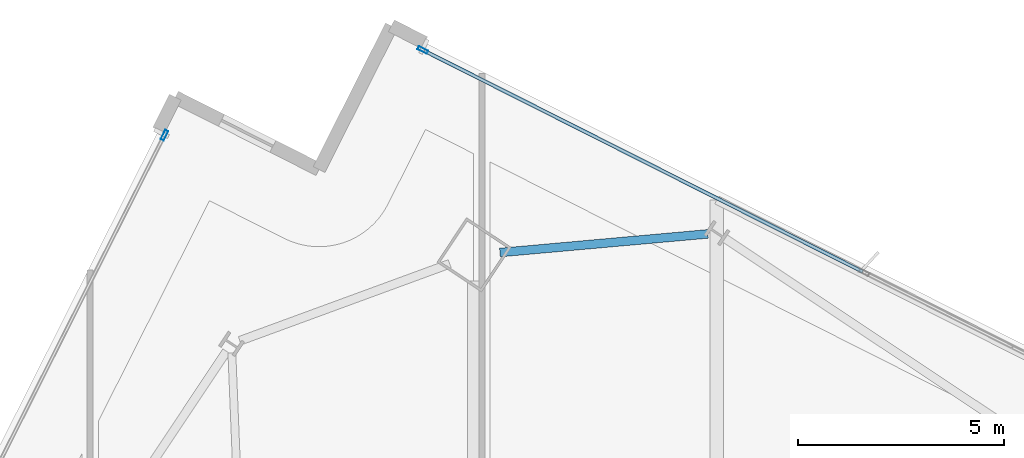
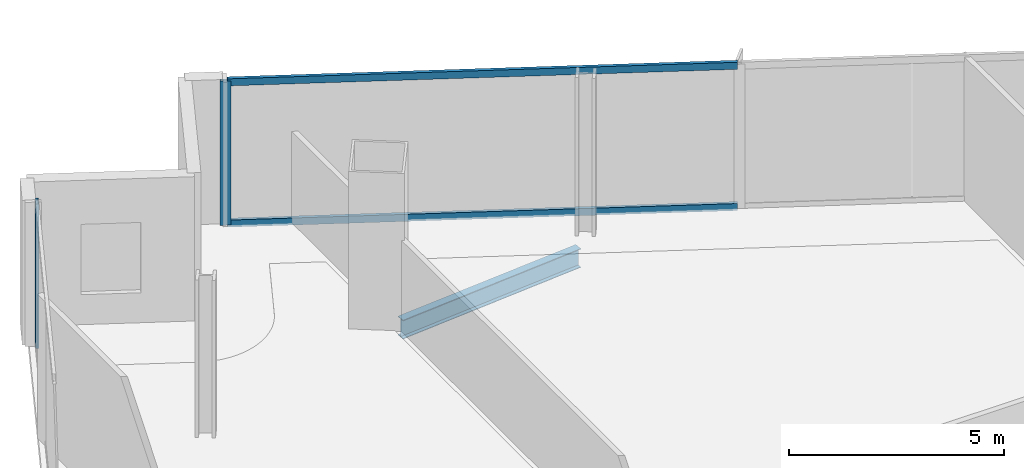
# One storey, part 15 of 27: 4 members, 1 beam, 2 elements without a shape of their own.
"""IFC4 building model written with IfcOpenShell, lengths in metres."""

from ifc_helpers import new_model, si_unit, direction, frame, origin, origin_2d, place, context, subcontext, project, spatial, hollow_rectangle, i_section, extrude, material, material_profile, profile_set, type_object, element, aggregate, save


model = new_model("IFC4")

# Units and contexts
model_context = context("Model", 3, precision=1e-05, world=origin(), true_north=direction((0.0, 1.0)))
body_context = subcontext(model_context, "Body", "Model", "MODEL_VIEW")
ifc_project = project(units=[si_unit("LENGTHUNIT", "METRE"), si_unit("AREAUNIT", "SQUARE_METRE"), si_unit("VOLUMEUNIT", "CUBIC_METRE"), si_unit("PLANEANGLEUNIT", "RADIAN"), si_unit("MASSUNIT", "GRAM", prefix="KILO")], contexts=[model_context])

# Site, building, storey
site_placement = place(None, origin())
site = spatial("IfcSite", under=ifc_project, at=site_placement, CompositionType="ELEMENT")
building_placement = place(site_placement, origin())
building = spatial("IfcBuilding", under=site, at=building_placement, Name="Haldenkirk Collegiate Tower", CompositionType="ELEMENT")
storey_placement = place(building_placement, frame((0.0, 0.0, 239.699951171875)))
storey = spatial("IfcBuildingStorey", under=building, at=storey_placement, Name="L60", CompositionType="ELEMENT", Elevation=239.699951171875)

# Beam
ifc_material_1 = material(Name="Steel ASTM A992 Grade 50", Category="steel")
ifc_material_profile_1 = material_profile(ifc_material_1, i_section(OverallWidth=0.2099609375, OverallDepth=0.537109375, WebThickness=0.010986328125, FlangeThickness=0.017333984375, at=origin_2d()), Name="W21X68")
ifc_profile_set_1 = profile_set([ifc_material_profile_1], Name="Steel ASTM A992 Grade 50")
beam_type = type_object("IfcBeamType", Name="BM-SPANDREL-W21X68", PredefinedType="SPANDREL", material=ifc_profile_set_1)
beam_placement = place(storey_placement, frame((37.9765625, 50.649169921875, -0.618408203125), z_axis=(-0.996001224794, -0.089339578066, 0.0), x_axis=(0.089339578066, -0.996001224794, 0.0)))
element("IfcBeam", 1, at=beam_placement, inside=storey, type_object=beam_type, Name="L60 perimeter spandrel beam 08", PredefinedType="SPANDREL", context=body_context, shape_type="SweptSolid", body=[
    extrude(i_section(OverallWidth=0.2099609375, OverallDepth=0.537109375, WebThickness=0.010986328125, FlangeThickness=0.017333984375, at=origin_2d()), origin(), (0.0, 0.0, 1.0), 5.06103515625),
])

# Curtain wall, member
ifc_material_2 = material(Name="Anodised architectural bronze aluminium", Category="aluminium")
curtain_wall_type = type_object("IfcCurtainWallType", Name="CW-SYS1B-CONVEX-HI", PredefinedType="USERDEFINED", material=ifc_material_2)
curtain_wall_1_placement = place(storey_placement, origin())
curtain_wall_1 = element("IfcCurtainWall", 2, at=curtain_wall_1_placement, inside=storey, type_object=curtain_wall_type, Name="L60 Upper tower high-wind convex bronze unitised curtain wall", ObjectType="UNITISED CURTAIN WALL", PredefinedType="USERDEFINED")
ifc_material_profile_2 = material_profile(ifc_material_2, hollow_rectangle(XDim=0.0849609375, YDim=0.25, WallThickness=0.0048828125, at=origin_2d()), Name="CW-MUL-1B")
ifc_profile_set_2 = profile_set([ifc_material_profile_2], Name="Anodised architectural bronze aluminium")
member_type_1 = type_object("IfcMemberType", Name="CW-MUL-1B", PredefinedType="MULLION", material=ifc_profile_set_2)
member_1_placement = place(storey_placement, frame((31.06494140625, 55.106201171875, 0.0), z_axis=(0.0, 0.0, 1.0), x_axis=(0.450098584579, 0.89297887106, 0.0)))
member_1 = element("IfcMember", 3, at=member_1_placement, type_object=member_type_1, Name="CW-1B mullion 1", PredefinedType="MULLION", context=body_context, shape_type="SweptSolid", body=[
    extrude(hollow_rectangle(XDim=0.0849609375, YDim=0.25, WallThickness=0.0048828125, at=origin_2d()), origin(), (0.0, 0.0, 1.0), 4.10009765625),
])

curtain_wall_2_placement = place(storey_placement, origin())
curtain_wall_2 = element("IfcCurtainWall", 4, at=curtain_wall_2_placement, inside=storey, type_object=curtain_wall_type, Name="L60 Upper tower high-wind convex bronze unitised curtain wall", ObjectType="UNITISED CURTAIN WALL", PredefinedType="USERDEFINED")
member_2_placement = place(storey_placement, frame((24.802978515625, 53.041259765625, 0.0), z_axis=(0.0, 0.0, 1.0), x_axis=(-0.892978136904, 0.450100041114, 0.0)))
member_2 = element("IfcMember", 5, at=member_2_placement, type_object=member_type_1, Name="CW-1B mullion 5", PredefinedType="MULLION", context=body_context, shape_type="SweptSolid", body=[
    extrude(hollow_rectangle(XDim=0.0849609375, YDim=0.25, WallThickness=0.0048828125, at=origin_2d()), origin(), (0.0, 0.0, 1.0), 4.10009765625),
])
aggregate(curtain_wall_2, [member_2])

# Member
ifc_material_profile_3 = material_profile(ifc_material_2, hollow_rectangle(XDim=0.0849609375, YDim=0.199951171875, WallThickness=0.0048828125, at=origin_2d()), Name="CW-TRN-1B")
ifc_profile_set_3 = profile_set([ifc_material_profile_3], Name="Anodised architectural bronze aluminium")
member_type_2 = type_object("IfcMemberType", Name="CW-TRN-1B", PredefinedType="USERDEFINED", material=ifc_profile_set_3)
member_3_placement = place(storey_placement, frame((31.10302734375, 55.087158203125, 0.04248046875), z_axis=(0.892982025623, -0.450092325988, 0.0), x_axis=(0.450092325988, 0.892982025623, 0.0)))
member_3 = element("IfcMember", 6, at=member_3_placement, type_object=member_type_2, Name="CW-1B transom 1.1", ObjectType="TRANSOM", PredefinedType="USERDEFINED", context=body_context, shape_type="SweptSolid", body=[
    extrude(hollow_rectangle(XDim=0.0849609375, YDim=0.199951171875, WallThickness=0.0048828125, at=origin_2d()), origin(), (0.0, 0.0, 1.0), 11.8974609375),
])

member_4_placement = place(storey_placement, frame((31.10302734375, 55.087158203125, 4.0576171875), z_axis=(0.892982025623, -0.450092325988, 0.0), x_axis=(0.450092325988, 0.892982025623, 0.0)))
member_4 = element("IfcMember", 7, at=member_4_placement, type_object=member_type_2, Name="CW-1B transom 1.2", ObjectType="TRANSOM", PredefinedType="USERDEFINED", context=body_context, shape_type="SweptSolid", body=[
    extrude(hollow_rectangle(XDim=0.0849609375, YDim=0.199951171875, WallThickness=0.0048828125, at=origin_2d()), origin(), (0.0, 0.0, 1.0), 11.8974609375),
])

aggregate(curtain_wall_1, [member_1, member_3, member_4])

save(model, "model.ifc")
